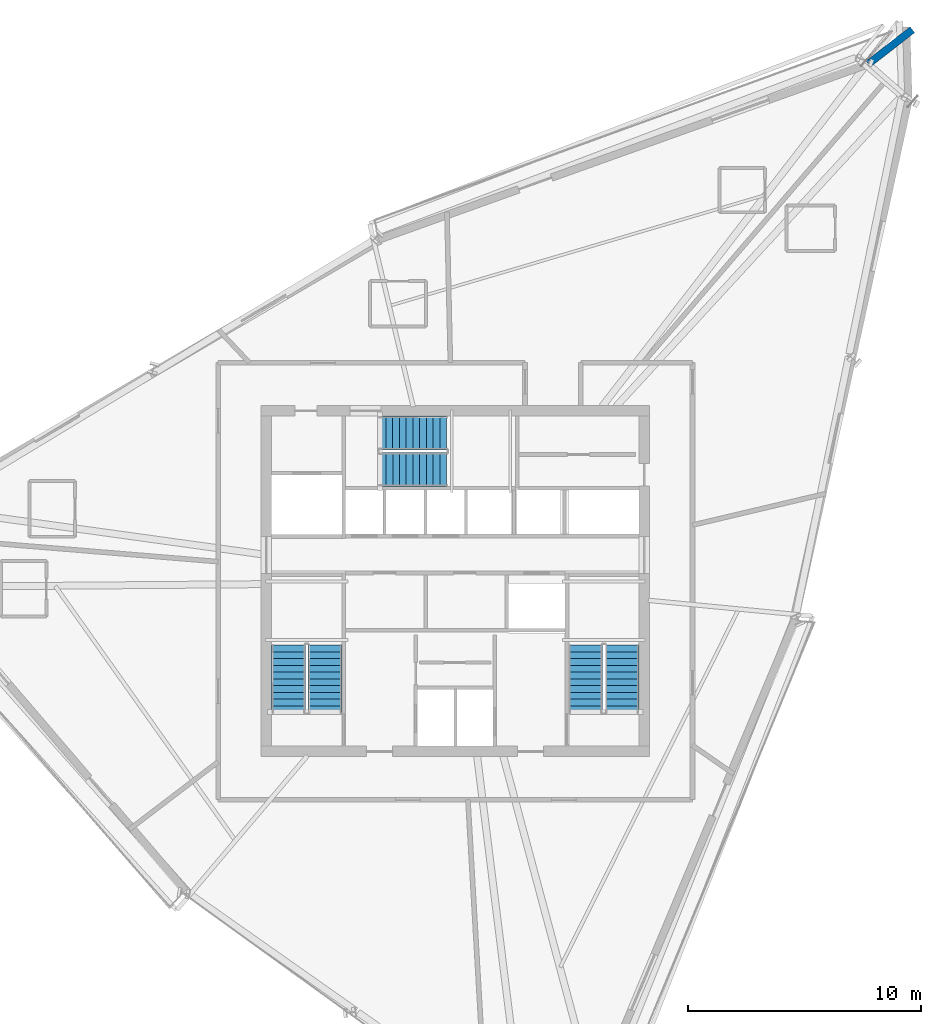
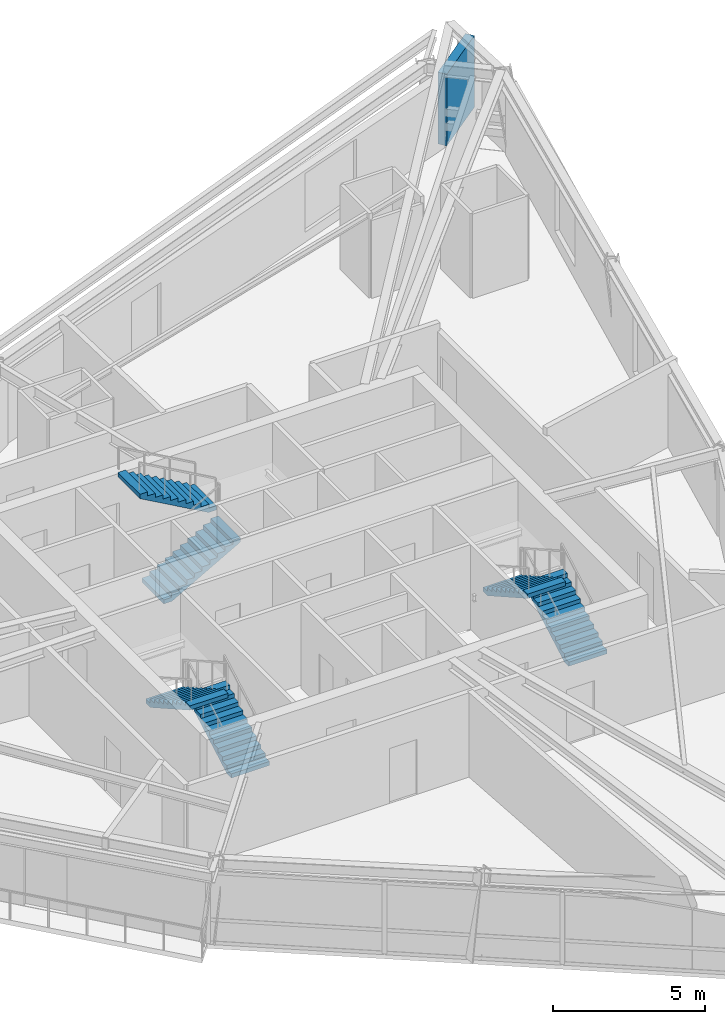
# One storey, part 11 of 14: 6 stair flights, 1 wall, 3 elements without a shape of their own.
"""IFC4 building model written with IfcOpenShell, lengths in metres."""

from ifc_helpers import new_model, si_unit, direction, frame, frame_2d, origin, place, context, subcontext, project, spatial, polyline, rectangle, outline, extrude, material, layer, layer_set, type_object, element, aggregate, save


model = new_model("IFC4")

# Units and contexts
model_context = context("Model", 3, precision=1e-05, world=origin(), true_north=direction((0.0, 1.0)))
body_context = subcontext(model_context, "Body", "Model", "MODEL_VIEW")
ifc_project = project(units=[si_unit("LENGTHUNIT", "METRE"), si_unit("AREAUNIT", "SQUARE_METRE"), si_unit("VOLUMEUNIT", "CUBIC_METRE"), si_unit("PLANEANGLEUNIT", "RADIAN"), si_unit("MASSUNIT", "GRAM", prefix="KILO")], contexts=[model_context])

# Site, building, storey
site_placement = place(None, origin())
site = spatial("IfcSite", under=ifc_project, at=site_placement, CompositionType="ELEMENT")
building_placement = place(site_placement, origin())
building = spatial("IfcBuilding", under=site, at=building_placement, Name="Olszyna Solenne Hotel", CompositionType="ELEMENT")
storey_placement = place(building_placement, frame((0.0, 0.0, 234.5)))
storey = spatial("IfcBuildingStorey", under=building, at=storey_placement, Name="L62", CompositionType="ELEMENT", Elevation=234.5)

# Wall
ifc_material_1 = material(Name="Precast concrete C45/55", Category="concrete")
ifc_layer = layer(ifc_material_1, 0.320068359375, Name="Precast concrete C45/55")
ifc_layer_set = layer_set([ifc_layer], Name="Precast concrete C45/55")
wall_type = type_object("IfcWallType", Name="WL-EX320", PredefinedType="SOLIDWALL", material=ifc_layer_set)
wall_placement = place(storey_placement, frame((55.76513671875, 48.847412109375, 0.0), z_axis=(0.0, 0.0, 1.0), x_axis=(0.790076637558, 0.613008080522, 0.0)))
element("IfcWall", 1, at=wall_placement, inside=storey, type_object=wall_type, Name="Exterior terracotta-precast frame wall WL-EX320 EW-L62-08", PredefinedType="SOLIDWALL", context=body_context, shape_type="SweptSolid", body=[
    extrude(rectangle(XDim=2.3935546875, YDim=0.320068359375, at=frame_2d((1.19677734375, 0.0))), origin(), (0.0, 0.0, 1.0), 2.8720703125),
])

# Stair, stair flights
ifc_material_2 = material(Name="Concrete C40/50", Category="concrete")
stair_type = type_object("IfcStairType", Name="STR-C1", PredefinedType="TWO_QUARTER_WINDING_STAIR", material=ifc_material_2)
stair_1_placement = place(storey_placement, origin())
stair_1 = element("IfcStair", 2, at=stair_1_placement, inside=storey, type_object=stair_type, Name="L62 ST1", PredefinedType="TWO_QUARTER_WINDING_STAIR")
stair_flight_type = type_object("IfcStairFlightType", Name="FLT-C1", PredefinedType="STRAIGHT", material=ifc_material_2)
stair_flight_1_placement = place(storey_placement, frame((32.39501953125, 20.949951171875, 0.0), z_axis=(0.0, 0.0, 1.0), x_axis=(0.0, 1.0, 0.0)))
stair_flight_1 = element("IfcStairFlight", 3, at=stair_flight_1_placement, type_object=stair_flight_type, Name="ST1 flight 1", NumberOfRisers=11, NumberOfTreads=10, PredefinedType="STRAIGHT", RiserHeight=0.163636364, TreadLength=0.29, context=body_context, shape_type="SweptSolid", body=[
    extrude(outline(polyline([(0.0, 0.0), (0.0, 0.16357421875), (0.2900390625, 0.16357421875), (0.2900390625, 0.327392578125), (0.580078125, 0.327392578125), (0.580078125, 0.490966796875), (0.8701171875, 0.490966796875), (0.8701171875, 0.654541015625), (1.159912109375, 0.654541015625), (1.159912109375, 0.818115234375), (1.449951171875, 0.818115234375), (1.449951171875, 0.98193359375), (1.739990234375, 0.98193359375), (1.739990234375, 1.1455078125), (2.030029296875, 1.1455078125), (2.030029296875, 1.30908203125), (2.320068359375, 1.30908203125), (2.320068359375, 1.47265625), (2.610107421875, 1.47265625), (2.610107421875, 1.636474609375), (2.89990234375, 1.636474609375), (2.89990234375, 1.800048828125), (2.89990234375, 1.46435546875), (0.304931640625, 0.0), (0.0, 0.0)])), frame((0.0, 0.72509765625, 0.0), z_axis=(0.0, -1.0, 0.0), x_axis=(1.0, 0.0, 0.0)), (0.0, 0.0, 1.0), 1.449951171875),
])
stair_flight_2_placement = place(storey_placement, frame((30.824951171875, 23.85009765625, 1.800048828125), z_axis=(0.0, 0.0, 1.0), x_axis=(0.0, -1.0, 0.0)))
stair_flight_2 = element("IfcStairFlight", 4, at=stair_flight_2_placement, type_object=stair_flight_type, Name="ST1 flight 2", NumberOfRisers=11, NumberOfTreads=10, PredefinedType="STRAIGHT", RiserHeight=0.163636364, TreadLength=0.29, context=body_context, shape_type="SweptSolid", body=[
    extrude(outline(polyline([(0.0, 0.0), (0.0, 0.16357421875), (0.2900390625, 0.16357421875), (0.2900390625, 0.327392578125), (0.580078125, 0.327392578125), (0.580078125, 0.490966796875), (0.8701171875, 0.490966796875), (0.8701171875, 0.654541015625), (1.159912109375, 0.654541015625), (1.159912109375, 0.818115234375), (1.449951171875, 0.818115234375), (1.449951171875, 0.98193359375), (1.739990234375, 0.98193359375), (1.739990234375, 1.1455078125), (2.030029296875, 1.1455078125), (2.030029296875, 1.30908203125), (2.320068359375, 1.30908203125), (2.320068359375, 1.47265625), (2.610107421875, 1.47265625), (2.610107421875, 1.636474609375), (2.89990234375, 1.636474609375), (2.89990234375, 1.800048828125), (2.89990234375, 1.46435546875), (0.304931640625, 0.0), (0.0, 0.0)])), frame((0.0, 0.72509765625, 0.0), z_axis=(0.0, -1.0, 0.0), x_axis=(1.0, 0.0, 0.0)), (0.0, 0.0, 1.0), 1.449951171875),
])
aggregate(stair_1, [stair_flight_1, stair_flight_2])

stair_2_placement = place(storey_placement, origin())
stair_2 = element("IfcStair", 5, at=stair_2_placement, inside=storey, type_object=stair_type, Name="L62 ST2", PredefinedType="TWO_QUARTER_WINDING_STAIR")
stair_flight_3_placement = place(storey_placement, frame((45.175048828125, 20.949951171875, 0.0), z_axis=(0.0, 0.0, 1.0), x_axis=(0.0, 1.0, 0.0)))
stair_flight_3 = element("IfcStairFlight", 6, at=stair_flight_3_placement, type_object=stair_flight_type, Name="ST2 flight 1", NumberOfRisers=11, NumberOfTreads=10, PredefinedType="STRAIGHT", RiserHeight=0.163636364, TreadLength=0.29, context=body_context, shape_type="SweptSolid", body=[
    extrude(outline(polyline([(0.0, 0.0), (0.0, 0.16357421875), (0.2900390625, 0.16357421875), (0.2900390625, 0.327392578125), (0.580078125, 0.327392578125), (0.580078125, 0.490966796875), (0.8701171875, 0.490966796875), (0.8701171875, 0.654541015625), (1.159912109375, 0.654541015625), (1.159912109375, 0.818115234375), (1.449951171875, 0.818115234375), (1.449951171875, 0.98193359375), (1.739990234375, 0.98193359375), (1.739990234375, 1.1455078125), (2.030029296875, 1.1455078125), (2.030029296875, 1.30908203125), (2.320068359375, 1.30908203125), (2.320068359375, 1.47265625), (2.610107421875, 1.47265625), (2.610107421875, 1.636474609375), (2.89990234375, 1.636474609375), (2.89990234375, 1.800048828125), (2.89990234375, 1.46435546875), (0.304931640625, 0.0), (0.0, 0.0)])), frame((0.0, 0.72509765625, 0.0), z_axis=(0.0, -1.0, 0.0), x_axis=(1.0, 0.0, 0.0)), (0.0, 0.0, 1.0), 1.449951171875),
])
stair_flight_4_placement = place(storey_placement, frame((43.60498046875, 23.85009765625, 1.800048828125), z_axis=(0.0, 0.0, 1.0), x_axis=(0.0, -1.0, 0.0)))
stair_flight_4 = element("IfcStairFlight", 7, at=stair_flight_4_placement, type_object=stair_flight_type, Name="ST2 flight 2", NumberOfRisers=11, NumberOfTreads=10, PredefinedType="STRAIGHT", RiserHeight=0.163636364, TreadLength=0.29, context=body_context, shape_type="SweptSolid", body=[
    extrude(outline(polyline([(0.0, 0.0), (0.0, 0.16357421875), (0.2900390625, 0.16357421875), (0.2900390625, 0.327392578125), (0.580078125, 0.327392578125), (0.580078125, 0.490966796875), (0.8701171875, 0.490966796875), (0.8701171875, 0.654541015625), (1.159912109375, 0.654541015625), (1.159912109375, 0.818115234375), (1.449951171875, 0.818115234375), (1.449951171875, 0.98193359375), (1.739990234375, 0.98193359375), (1.739990234375, 1.1455078125), (2.030029296875, 1.1455078125), (2.030029296875, 1.30908203125), (2.320068359375, 1.30908203125), (2.320068359375, 1.47265625), (2.610107421875, 1.47265625), (2.610107421875, 1.636474609375), (2.89990234375, 1.636474609375), (2.89990234375, 1.800048828125), (2.89990234375, 1.46435546875), (0.304931640625, 0.0), (0.0, 0.0)])), frame((0.0, 0.72509765625, 0.0), z_axis=(0.0, -1.0, 0.0), x_axis=(1.0, 0.0, 0.0)), (0.0, 0.0, 1.0), 1.449951171875),
])
aggregate(stair_2, [stair_flight_3, stair_flight_4])

stair_3_placement = place(storey_placement, origin())
stair_3 = element("IfcStair", 8, at=stair_3_placement, inside=storey, type_object=stair_type, Name="L62 ST3", PredefinedType="TWO_QUARTER_WINDING_STAIR")
stair_flight_5_placement = place(storey_placement, frame((34.72998046875, 31.405029296875, 0.0), z_axis=(0.0, 0.0, 1.0), x_axis=(1.0, 0.0, 0.0)))
stair_flight_5 = element("IfcStairFlight", 9, at=stair_flight_5_placement, type_object=stair_flight_type, Name="ST3 flight 1", NumberOfRisers=11, NumberOfTreads=10, PredefinedType="STRAIGHT", RiserHeight=0.163636364, TreadLength=0.29, context=body_context, shape_type="SweptSolid", body=[
    extrude(outline(polyline([(0.0, 0.0), (0.0, 0.16357421875), (0.2900390625, 0.16357421875), (0.2900390625, 0.327392578125), (0.580078125, 0.327392578125), (0.580078125, 0.490966796875), (0.8701171875, 0.490966796875), (0.8701171875, 0.654541015625), (1.159912109375, 0.654541015625), (1.159912109375, 0.818115234375), (1.449951171875, 0.818115234375), (1.449951171875, 0.98193359375), (1.739990234375, 0.98193359375), (1.739990234375, 1.1455078125), (2.030029296875, 1.1455078125), (2.030029296875, 1.30908203125), (2.320068359375, 1.30908203125), (2.320068359375, 1.47265625), (2.610107421875, 1.47265625), (2.610107421875, 1.636474609375), (2.89990234375, 1.636474609375), (2.89990234375, 1.800048828125), (2.89990234375, 1.46435546875), (0.304931640625, 0.0), (0.0, 0.0)])), frame((0.0, 0.72509765625, 0.0), z_axis=(0.0, -1.0, 0.0), x_axis=(1.0, 0.0, 0.0)), (0.0, 0.0, 1.0), 1.449951171875),
])
stair_flight_6_placement = place(storey_placement, frame((37.6298828125, 32.97509765625, 1.800048828125), z_axis=(0.0, 0.0, 1.0), x_axis=(-1.0, 0.0, 0.0)))
stair_flight_6 = element("IfcStairFlight", 10, at=stair_flight_6_placement, type_object=stair_flight_type, Name="ST3 flight 2", NumberOfRisers=11, NumberOfTreads=10, PredefinedType="STRAIGHT", RiserHeight=0.163636364, TreadLength=0.29, context=body_context, shape_type="SweptSolid", body=[
    extrude(outline(polyline([(0.0, 0.0), (0.0, 0.16357421875), (0.2900390625, 0.16357421875), (0.2900390625, 0.327392578125), (0.580078125, 0.327392578125), (0.580078125, 0.490966796875), (0.8701171875, 0.490966796875), (0.8701171875, 0.654541015625), (1.159912109375, 0.654541015625), (1.159912109375, 0.818115234375), (1.449951171875, 0.818115234375), (1.449951171875, 0.98193359375), (1.739990234375, 0.98193359375), (1.739990234375, 1.1455078125), (2.030029296875, 1.1455078125), (2.030029296875, 1.30908203125), (2.320068359375, 1.30908203125), (2.320068359375, 1.47265625), (2.610107421875, 1.47265625), (2.610107421875, 1.636474609375), (2.89990234375, 1.636474609375), (2.89990234375, 1.800048828125), (2.89990234375, 1.46435546875), (0.304931640625, 0.0), (0.0, 0.0)])), frame((0.0, 0.72509765625, 0.0), z_axis=(0.0, -1.0, 0.0), x_axis=(1.0, 0.0, 0.0)), (0.0, 0.0, 1.0), 1.449951171875),
])
aggregate(stair_3, [stair_flight_5, stair_flight_6])

save(model, "model.ifc")
